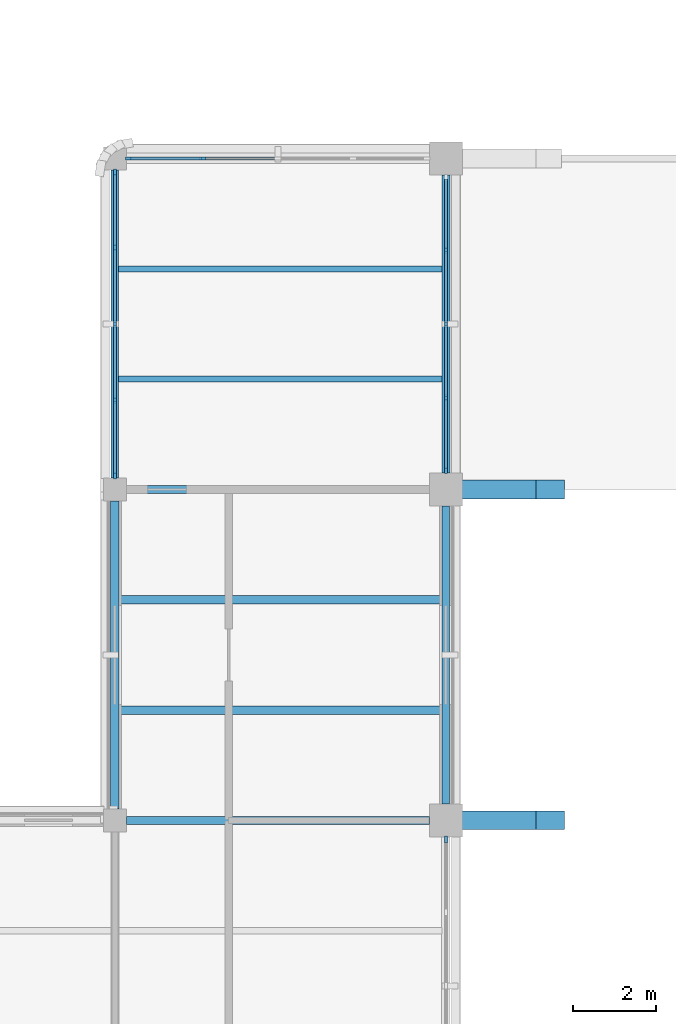
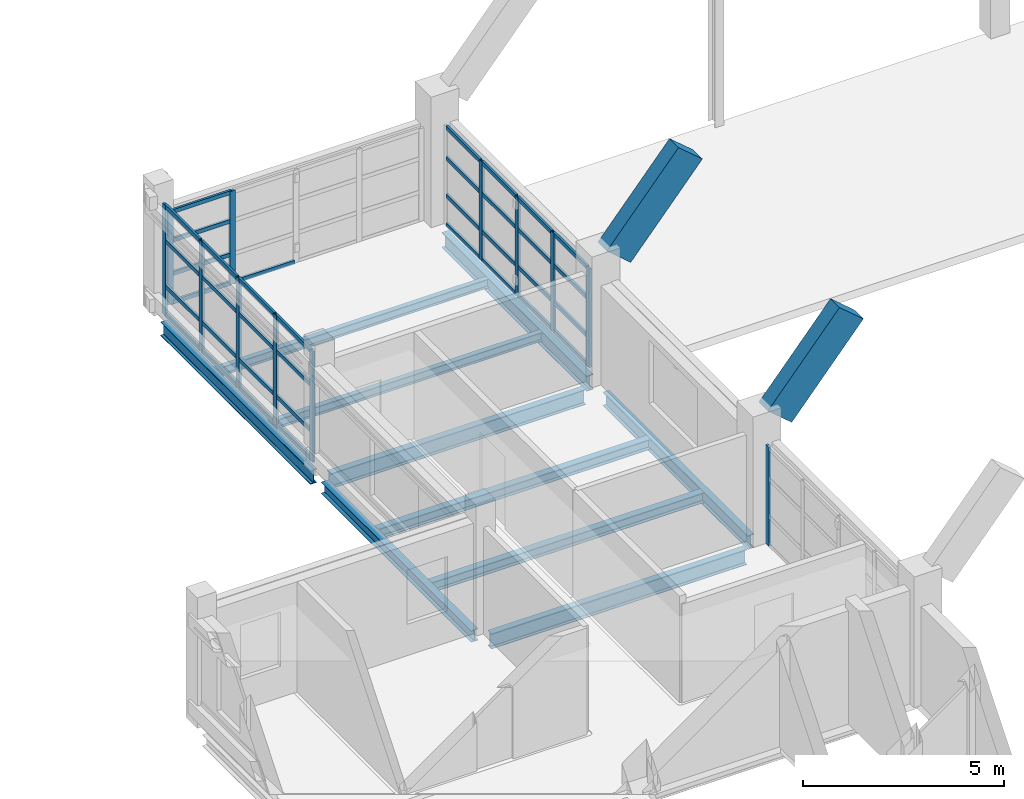
# One storey, part 30 of 92: 49 members, 12 beams, 4 elements without a shape of their own.
"""IFC4 building model written with IfcOpenShell, lengths in metres."""

import ifcopenshell
import ifcopenshell.guid

model = None  # the IFC model being written
_history = None  # IfcOwnerHistory: only IFC2X3 demands one
_inside = {}  # id of a spatial element -> (the spatial element, [elements in it])
_under = {}  # id of a project, library or spatial element -> (it, [spatial elements below it])
_declared = {}  # id of a project -> (the project, [libraries it declares])
_typed = {}  # id of a type object -> (the type object, [elements of that type])
_made_of = {}  # id of a material, layer set ... -> (it, [elements and type objects made of it])


def new_model(schema):
    """Start an empty IFC model of exactly this schema.

    Asked for "IFC4X3", IfcOpenShell would pick the latest addendum, in which some entities
    have other attributes; the version numbers below select the first issue.
    IFC2X3 requires an IfcOwnerHistory on every rooted entity: one is made here for all.
    """
    global model, _history
    if schema == "IFC4X3":
        model = ifcopenshell.file(schema_version=(4, 3, 0, 0))
    else:
        model = ifcopenshell.file(schema=schema)
    _inside.clear()
    _under.clear()
    _declared.clear()
    _typed.clear()
    _made_of.clear()
    _history = None
    if model.schema == "IFC2X3":
        org = make("IfcOrganization", Name="unknown")
        user = make(
            "IfcPersonAndOrganization",
            ThePerson=make("IfcPerson", FamilyName="unknown"),
            TheOrganization=org,
        )
        app = make(
            "IfcApplication",
            ApplicationDeveloper=org,
            Version="unknown",
            ApplicationFullName="unknown",
            ApplicationIdentifier="unknown",
        )
        _history = make(
            "IfcOwnerHistory",
            OwningUser=user,
            OwningApplication=app,
            ChangeAction="ADDED",
            CreationDate=0,
        )
    return model


def make(cls, **values):
    """One entity of the class cls with the attributes given. An attribute that is None is left unset."""
    return model.create_entity(
        cls, **{name: value for name, value in values.items() if value is not None}
    )


def rooted(cls, **values):
    """An entity with a GlobalId (a new one), such as an element, a storey or a relation."""
    return make(cls, GlobalId=ifcopenshell.guid.new(), OwnerHistory=_history, **values)


def si_unit(unit_type, name, prefix=None):
    """IfcSIUnit, for example si_unit("LENGTHUNIT", "METRE", prefix="MILLI")."""
    return make("IfcSIUnit", UnitType=unit_type, Prefix=prefix, Name=name)


def derived_unit(unit_type, elements):
    """IfcDerivedUnit: a product of units, each with its exponent."""
    return make(
        "IfcDerivedUnit",
        Elements=[
            make("IfcDerivedUnitElement", Unit=unit, Exponent=power)
            for unit, power in elements
        ],
        UnitType=unit_type,
    )


def assignment(units):
    """IfcUnitAssignment: the units of a project."""
    return None if units is None else make("IfcUnitAssignment", Units=units)


def point(xyz):
    """IfcCartesianPoint."""
    return None if xyz is None else make("IfcCartesianPoint", Coordinates=xyz)


def direction(xyz):
    """IfcDirection."""
    return None if xyz is None else make("IfcDirection", DirectionRatios=xyz)


def frame(location, z_axis=None, x_axis=None):
    """IfcAxis2Placement3D, a coordinate frame: its origin and axes. An axis left out is left unset."""
    return make(
        "IfcAxis2Placement3D",
        Location=point(location),
        Axis=direction(z_axis),
        RefDirection=direction(x_axis),
    )


def frame_2d(location, x_axis=None):
    """IfcAxis2Placement2D, a coordinate frame in the plane: its origin and x axis."""
    return make(
        "IfcAxis2Placement2D", Location=point(location), RefDirection=direction(x_axis)
    )


def origin():
    """The frame at (0, 0, 0) with its axes left unset."""
    return frame((0.0, 0.0, 0.0))


def origin_2d():
    """The frame at (0, 0) in the plane with its x axis left unset."""
    return frame_2d((0.0, 0.0))


def place(relative_to, where):
    """IfcLocalPlacement: puts the frame where relative to a parent placement (None: the world)."""
    return make(
        "IfcLocalPlacement", PlacementRelTo=relative_to, RelativePlacement=where
    )


def context(
    kind, dimensions, precision=None, world=None, true_north=None, identifier=None
):
    """IfcGeometricRepresentationContext, for example the 3D "Model" context."""
    return make(
        "IfcGeometricRepresentationContext",
        ContextIdentifier=identifier,
        ContextType=kind,
        CoordinateSpaceDimension=dimensions,
        Precision=precision,
        WorldCoordinateSystem=world,
        TrueNorth=true_north,
    )


def subcontext(parent, identifier, kind, view, scale=None):
    """IfcGeometricRepresentationSubContext, for example "Body" below "Model"."""
    return make(
        "IfcGeometricRepresentationSubContext",
        ContextIdentifier=identifier,
        ContextType=kind,
        ParentContext=parent,
        TargetScale=scale,
        TargetView=view,
    )


def project(units=None, contexts=None):
    """IfcProject with its units and contexts."""
    return rooted(
        "IfcProject",
        Name="project",
        RepresentationContexts=contexts,
        UnitsInContext=assignment(units),
    )


def spatial(cls, under=None, at=None, **own):
    """A site, building, storey or space (cls), placed at a placement, below another one or the project."""
    s = rooted(cls, ObjectPlacement=at, **own)
    if under is not None:
        _under.setdefault(under.id(), (under, []))[1].append(s)
    return s


def profile(cls, at=None, kind="AREA", **sizes):
    """A parametric profile (cls). Its sizes go by their IFC names, for example OverallWidth=200.0."""
    return make(cls, ProfileType=kind, Position=at, **sizes)


def rectangle(**sizes):
    """IfcRectangleProfileDef."""
    return profile("IfcRectangleProfileDef", **sizes)


def i_section(**sizes):
    """IfcIShapeProfileDef."""
    return profile("IfcIShapeProfileDef", **sizes)


def extrude(swept, where, along, depth):
    """IfcExtrudedAreaSolid: the profile swept, set in the frame where, extruded along a direction by depth."""
    return make(
        "IfcExtrudedAreaSolid",
        SweptArea=swept,
        Position=where,
        ExtrudedDirection=direction(along),
        Depth=depth,
    )


def shape(context_of_items, identifier, shape_type, items):
    """IfcShapeRepresentation: the items that make up one representation, for example the "Body"."""
    return make(
        "IfcShapeRepresentation",
        ContextOfItems=context_of_items,
        RepresentationIdentifier=identifier,
        RepresentationType=shape_type,
        Items=items,
    )


def material(Name=None, Category=None):
    """IfcMaterial."""
    return make("IfcMaterial", Name=Name, Category=Category)


def layer(
    of_material, thickness, ventilated=None, Name=None, Category=None, Priority=None
):
    """IfcMaterialLayer: one layer of a wall or slab, of a material (None: an air gap)."""
    return make(
        "IfcMaterialLayer",
        Material=of_material,
        LayerThickness=thickness,
        IsVentilated=ventilated,
        Name=Name,
        Category=Category,
        Priority=Priority,
    )


def layer_set(layers, Name=None):
    """IfcMaterialLayerSet."""
    return make("IfcMaterialLayerSet", MaterialLayers=layers, LayerSetName=Name)


def material_profile(
    of_material, cross_section, Name=None, Category=None, Priority=None
):
    """IfcMaterialProfile: a cross section and its material."""
    return make(
        "IfcMaterialProfile",
        Name=Name,
        Material=of_material,
        Profile=cross_section,
        Priority=Priority,
        Category=Category,
    )


def profile_set(profiles, Name=None, composite=None):
    """IfcMaterialProfileSet."""
    return make(
        "IfcMaterialProfileSet",
        Name=Name,
        MaterialProfiles=profiles,
        CompositeProfile=composite,
    )


def made_of(thing, what):
    """Note that an element or type object is made of a material, layer set ...; save() writes the relation."""
    if what is not None:
        _made_of.setdefault(what.id(), (what, []))[1].append(thing)
    return thing


def type_object(cls, material=None, **own):
    """A type object (cls), such as IfcWallType, which elements share."""
    return made_of(rooted(cls, **own), material)


def element(
    cls,
    number,
    at=None,
    inside=None,
    cuts=None,
    type_object=None,
    material=None,
    context=None,
    identifier="Body",
    shape_type=None,
    held_by="IfcProductDefinitionShape",
    body=None,
    shapes=None,
    **own,
):
    """One element of the class cls, such as IfcWall. Its Tag is "e" and its number.

    at: its placement. inside: the storey or other place that contains it. cuts: it is an
    opening in that element (IfcRelVoidsElement). A single representation is given by context,
    identifier, shape_type and body (its items); several are given by shapes. held_by: the class
    of the entity that holds the representations. save() writes the other relations.
    """
    e = rooted(cls, Tag="e%d" % number, ObjectPlacement=at, **own)
    if body is not None:
        shapes = [shape(context, identifier, shape_type, body)]
    if shapes is not None:
        e.Representation = make(held_by, Representations=shapes)
    if inside is not None:
        _inside.setdefault(inside.id(), (inside, []))[1].append(e)
    if cuts is not None:
        rooted(
            "IfcRelVoidsElement", RelatingBuildingElement=cuts, RelatedOpeningElement=e
        )
    if type_object is not None:
        _typed.setdefault(type_object.id(), (type_object, []))[1].append(e)
    return made_of(e, material)


def aggregate(whole, parts):
    """IfcRelAggregates: a whole, such as a stair, and the parts it consists of."""
    return rooted("IfcRelAggregates", RelatingObject=whole, RelatedObjects=parts)


def save(model, path):
    """Write the relations noted so far, then the file.

    IfcRelAggregates (storeys below a building ...), IfcRelContainedInSpatialStructure (elements
    in a storey), IfcRelDefinesByType, IfcRelAssociatesMaterial and IfcRelDeclares: one each for
    every whole, place, type object, material and project.
    """
    for whole, parts in _under.values():
        aggregate(whole, parts)
    for where, things in _inside.values():
        rooted(
            "IfcRelContainedInSpatialStructure",
            RelatedElements=things,
            RelatingStructure=where,
        )
    for kind, things in _typed.values():
        rooted("IfcRelDefinesByType", RelatedObjects=things, RelatingType=kind)
    for what, things in _made_of.values():
        rooted("IfcRelAssociatesMaterial", RelatedObjects=things, RelatingMaterial=what)
    for by, libraries in _declared.values():
        rooted("IfcRelDeclares", RelatingContext=by, RelatedDefinitions=libraries)
    model.write(path)


model = new_model("IFC4")

# Units and contexts
model_context = context("Model", 3, precision=1e-05, world=origin(), true_north=direction((0.0, 1.0)))
body_context = subcontext(model_context, "Body", "Model", "MODEL_VIEW")
ifc_project = project(units=[si_unit("LENGTHUNIT", "METRE"), si_unit("AREAUNIT", "SQUARE_METRE"), si_unit("VOLUMEUNIT", "CUBIC_METRE"), si_unit("PLANEANGLEUNIT", "RADIAN"), si_unit("MASSUNIT", "GRAM", prefix="KILO"), derived_unit("THERMALTRANSMITTANCEUNIT", [(si_unit("MASSUNIT", "GRAM", prefix="KILO"), 1), (si_unit("TIMEUNIT", "SECOND"), -3), (si_unit("THERMODYNAMICTEMPERATUREUNIT", "KELVIN"), -1)])], contexts=[model_context])

# Site, building, storey
site_placement = place(None, origin())
site = spatial("IfcSite", under=ifc_project, at=site_placement, CompositionType="ELEMENT")
building_placement = place(site_placement, origin())
building = spatial("IfcBuilding", under=site, at=building_placement, Name="Veyamyaing Civic Hall", CompositionType="ELEMENT")
storey_placement = place(building_placement, frame((0.0, 0.0, 17.820068359375)))
storey = spatial("IfcBuildingStorey", under=building, at=storey_placement, Name="L04", CompositionType="ELEMENT", Elevation=17.820068359375)

# Beams
ifc_material_1 = material(Name="Steel ASTM A992", Category="steel")
ifc_material_profile_1 = material_profile(ifc_material_1, i_section(OverallWidth=0.19189453125, OverallDepth=0.462890625, WebThickness=0.010498046875, FlangeThickness=0.017578125, FilletRadius=0.010009765625, at=origin_2d()), Name="W460X89")
ifc_profile_set_1 = profile_set([ifc_material_profile_1], Name="Steel ASTM A992")
beam_type_1 = type_object("IfcBeamType", Name="B-08", PredefinedType="BEAM", material=ifc_profile_set_1)
beam_1_placement = place(storey_placement, frame((64.27490234375, 64.0, -0.466552734375), z_axis=(1.0, 0.0, 0.0), x_axis=(0.0, 1.0, 0.0)))
element("IfcBeam", 1, at=beam_1_placement, inside=storey, type_object=beam_type_1, Name="Girder B-08 L04 Grid J 9-10", PredefinedType="BEAM", context=body_context, shape_type="SweptSolid", body=[
    extrude(i_section(OverallWidth=0.19189453125, OverallDepth=0.462890625, WebThickness=0.010498046875, FlangeThickness=0.017578125, FilletRadius=0.010009765625, at=origin_2d()), origin(), (0.0, 0.0, 1.0), 7.3251953125),
])
beam_2_placement = place(storey_placement, frame((72.0, 72.39990234375, -0.4716796875), z_axis=(0.0, 1.0, 0.0), x_axis=(-1.0, 0.0, 0.0)))
element("IfcBeam", 2, at=beam_2_placement, inside=storey, type_object=beam_type_1, Name="Girder B-08 L04 Grid 10 K-L", PredefinedType="BEAM", context=body_context, shape_type="SweptSolid", body=[
    extrude(i_section(OverallWidth=0.19189453125, OverallDepth=0.462890625, WebThickness=0.010498046875, FlangeThickness=0.017578125, FilletRadius=0.010009765625, at=origin_2d()), origin(), (0.0, 0.0, 1.0), 7.2001953125),
])
ifc_material_profile_2 = material_profile(ifc_material_1, i_section(OverallWidth=0.18994140625, OverallDepth=0.45703125, WebThickness=0.009033203125, FlangeThickness=0.014404296875, FilletRadius=0.010009765625, at=origin_2d()), Name="W460X74")
ifc_profile_set_2 = profile_set([ifc_material_profile_2], Name="Steel ASTM A992")
beam_type_2 = type_object("IfcBeamType", Name="B-09", PredefinedType="BEAM", material=ifc_profile_set_2)
beam_3_placement = place(storey_placement, frame((64.27490234375, 72.0, -0.463623046875), z_axis=(1.0, 0.0, 0.0), x_axis=(0.0, 1.0, 0.0)))
element("IfcBeam", 3, at=beam_3_placement, inside=storey, type_object=beam_type_2, Name="Girder B-09 L04 Grid K 9-10", PredefinedType="BEAM", context=body_context, shape_type="SweptSolid", body=[
    extrude(i_section(OverallWidth=0.18994140625, OverallDepth=0.45703125, WebThickness=0.009033203125, FlangeThickness=0.014404296875, FilletRadius=0.010009765625, at=origin_2d()), origin(), (0.0, 0.0, 1.0), 7.3251953125),
])
ifc_material_profile_3 = material_profile(ifc_material_1, i_section(OverallWidth=0.2041015625, OverallDepth=0.35009765625, WebThickness=0.0078125, FlangeThickness=0.01513671875, FilletRadius=0.010009765625, at=origin_2d()), Name="W360X72")
ifc_profile_set_3 = profile_set([ifc_material_profile_3], Name="Steel ASTM A992")
beam_type_3 = type_object("IfcBeamType", Name="B-11", PredefinedType="SPANDREL", material=ifc_profile_set_3)
beam_4_placement = place(storey_placement, frame((64.0, 64.27490234375, -0.41015625), z_axis=(0.0, 1.0, 0.0), x_axis=(-1.0, 0.0, 0.0)))
element("IfcBeam", 4, at=beam_4_placement, inside=storey, type_object=beam_type_3, Name="Girder B-11 L04 Grid 9 J-K", PredefinedType="SPANDREL", context=body_context, shape_type="SweptSolid", body=[
    extrude(i_section(OverallWidth=0.2041015625, OverallDepth=0.35009765625, WebThickness=0.0078125, FlangeThickness=0.01513671875, FilletRadius=0.010009765625, at=origin_2d()), origin(), (0.0, 0.0, 1.0), 7.4501953125),
])
ifc_material_profile_4 = material_profile(ifc_material_1, i_section(OverallWidth=0.180908203125, OverallDepth=0.4169921875, WebThickness=0.010986328125, FlangeThickness=0.018310546875, FilletRadius=0.010009765625, at=origin_2d()), Name="W410X85")
ifc_profile_set_4 = profile_set([ifc_material_profile_4], Name="Steel ASTM A992")
beam_type_4 = type_object("IfcBeamType", Name="B-19", PredefinedType="SPANDREL", material=ifc_profile_set_4)
beam_5_placement = place(storey_placement, frame((64.0, 72.27490234375, -0.443603515625), z_axis=(0.0, 1.0, 0.0), x_axis=(-1.0, 0.0, 0.0)))
element("IfcBeam", 5, at=beam_5_placement, inside=storey, type_object=beam_type_4, Name="Girder B-19 L04 Grid 9 K-L", PredefinedType="SPANDREL", context=body_context, shape_type="SweptSolid", body=[
    extrude(i_section(OverallWidth=0.180908203125, OverallDepth=0.4169921875, WebThickness=0.010986328125, FlangeThickness=0.018310546875, FilletRadius=0.010009765625, at=origin_2d()), origin(), (0.0, 0.0, 1.0), 7.4501953125),
])
beam_6_placement = place(storey_placement, frame((72.0, 64.39990234375, -0.443603515625), z_axis=(0.0, 1.0, 0.0), x_axis=(-1.0, 0.0, 0.0)))
element("IfcBeam", 6, at=beam_6_placement, inside=storey, type_object=beam_type_4, Name="Girder B-19 L04 Grid 10 J-K", PredefinedType="SPANDREL", context=body_context, shape_type="SweptSolid", body=[
    extrude(i_section(OverallWidth=0.180908203125, OverallDepth=0.4169921875, WebThickness=0.010986328125, FlangeThickness=0.018310546875, FilletRadius=0.010009765625, at=origin_2d()), origin(), (0.0, 0.0, 1.0), 7.2001953125),
])

# Curtain wall, member
ifc_material_2 = material(Name="Anodised aluminium 6063-T6", Category="aluminium")
ifc_layer = layer(ifc_material_2, 0.159912109375, Name="Anodised aluminium 6063-T6")
ifc_layer_set = layer_set([ifc_layer], Name="Anodised aluminium 6063-T6")
curtain_wall_type = type_object("IfcCurtainWallType", Name="CW-08", PredefinedType="NOTDEFINED", material=ifc_layer_set)
curtain_wall_1_placement = place(storey_placement, origin())
curtain_wall_1 = element("IfcCurtainWall", 7, at=curtain_wall_1_placement, inside=storey, type_object=curtain_wall_type, Name="Unitized curtain wall CW-08 L04 E 9.8", PredefinedType="NOTDEFINED")
ifc_material_profile_5 = material_profile(ifc_material_2, rectangle(XDim=0.06494140625, YDim=0.159912109375, at=origin_2d()), Name="ALU-MUL-65X160")
ifc_profile_set_5 = profile_set([ifc_material_profile_5], Name="Anodised aluminium 6063-T6")
member_type_1 = type_object("IfcMemberType", Name="CWM-01", PredefinedType="MULLION", material=ifc_profile_set_5)
member_1_placement = place(storey_placement, frame((72.0, 63.53759765625, 0.0), z_axis=(0.0, 0.0, 1.0), x_axis=(-1.0, 0.0, 0.0)))
member_1 = element("IfcMember", 8, at=member_1_placement, type_object=member_type_1, Name="CW-08 mullion 5", PredefinedType="MULLION", context=body_context, shape_type="SweptSolid", body=[
    extrude(rectangle(XDim=0.06494140625, YDim=0.159912109375, at=origin_2d()), origin(), (0.0, 0.0, 1.0), 3.001953125),
])
aggregate(curtain_wall_1, [member_1])

# Curtain wall, members
curtain_wall_2_placement = place(storey_placement, origin())
curtain_wall_2 = element("IfcCurtainWall", 9, at=curtain_wall_2_placement, inside=storey, type_object=curtain_wall_type, Name="Unitized curtain wall CW-08 L04 N 9.10", PredefinedType="NOTDEFINED")
member_2_placement = place(storey_placement, frame((64.33740234375, 80.0, 0.0), z_axis=(0.0, 0.0, 1.0), x_axis=(0.0, 1.0, 0.0)))
member_2 = element("IfcMember", 10, at=member_2_placement, type_object=member_type_1, Name="CW-08 mullion 1", PredefinedType="MULLION", context=body_context, shape_type="SweptSolid", body=[
    extrude(rectangle(XDim=0.06494140625, YDim=0.159912109375, at=origin_2d()), origin(), (0.0, 0.0, 1.0), 2.81689453125),
])
member_3_placement = place(storey_placement, frame((66.121337890625, 80.0, 0.0), z_axis=(0.0, 0.0, 1.0), x_axis=(0.0, 1.0, 0.0)))
member_3 = element("IfcMember", 11, at=member_3_placement, type_object=member_type_1, Name="CW-08 mullion 2", PredefinedType="MULLION", context=body_context, shape_type="SweptSolid", body=[
    extrude(rectangle(XDim=0.06494140625, YDim=0.159912109375, at=origin_2d()), origin(), (0.0, 0.0, 1.0), 2.81689453125),
])

curtain_wall_3_placement = place(storey_placement, origin())
curtain_wall_3 = element("IfcCurtainWall", 12, at=curtain_wall_3_placement, inside=storey, type_object=curtain_wall_type, Name="Unitized curtain wall CW-08 L04 W 9.10", PredefinedType="NOTDEFINED")
member_4_placement = place(storey_placement, frame((64.0, 72.33740234375, 0.0), z_axis=(0.0, 0.0, 1.0), x_axis=(-1.0, 0.0, 0.0)))
member_4 = element("IfcMember", 13, at=member_4_placement, type_object=member_type_1, Name="CW-08 mullion 1", PredefinedType="MULLION", context=body_context, shape_type="SweptSolid", body=[
    extrude(rectangle(XDim=0.06494140625, YDim=0.159912109375, at=origin_2d()), origin(), (0.0, 0.0, 1.0), 3.348876953125),
])
member_5_placement = place(storey_placement, frame((64.0, 74.152587890625, 0.0), z_axis=(0.0, 0.0, 1.0), x_axis=(-1.0, 0.0, 0.0)))
member_5 = element("IfcMember", 14, at=member_5_placement, type_object=member_type_1, Name="CW-08 mullion 2", PredefinedType="MULLION", context=body_context, shape_type="SweptSolid", body=[
    extrude(rectangle(XDim=0.06494140625, YDim=0.159912109375, at=origin_2d()), origin(), (0.0, 0.0, 1.0), 3.348876953125),
])
member_6_placement = place(storey_placement, frame((64.0, 76.0, 0.0), z_axis=(0.0, 0.0, 1.0), x_axis=(-1.0, 0.0, 0.0)))
member_6 = element("IfcMember", 15, at=member_6_placement, type_object=member_type_1, Name="CW-08 mullion 3", PredefinedType="MULLION", context=body_context, shape_type="SweptSolid", body=[
    extrude(rectangle(XDim=0.06494140625, YDim=0.159912109375, at=origin_2d()), origin(), (0.0, 0.0, 1.0), 3.348876953125),
])
member_7_placement = place(storey_placement, frame((64.0, 77.847412109375, 0.0), z_axis=(0.0, 0.0, 1.0), x_axis=(-1.0, 0.0, 0.0)))
member_7 = element("IfcMember", 16, at=member_7_placement, type_object=member_type_1, Name="CW-08 mullion 4", PredefinedType="MULLION", context=body_context, shape_type="SweptSolid", body=[
    extrude(rectangle(XDim=0.06494140625, YDim=0.159912109375, at=origin_2d()), origin(), (0.0, 0.0, 1.0), 3.348876953125),
])
member_8_placement = place(storey_placement, frame((64.0, 79.66259765625, 0.0), z_axis=(0.0, 0.0, 1.0), x_axis=(-1.0, 0.0, 0.0)))
member_8 = element("IfcMember", 17, at=member_8_placement, type_object=member_type_1, Name="CW-08 mullion 5", PredefinedType="MULLION", context=body_context, shape_type="SweptSolid", body=[
    extrude(rectangle(XDim=0.06494140625, YDim=0.159912109375, at=origin_2d()), origin(), (0.0, 0.0, 1.0), 3.348876953125),
])

curtain_wall_4_placement = place(storey_placement, origin())
curtain_wall_4 = element("IfcCurtainWall", 18, at=curtain_wall_4_placement, inside=storey, type_object=curtain_wall_type, Name="Unitized curtain wall CW-08 L04 E 9.10", PredefinedType="NOTDEFINED")
member_9_placement = place(storey_placement, frame((72.0, 72.46240234375, 0.0), z_axis=(0.0, 0.0, 1.0), x_axis=(-1.0, 0.0, 0.0)))
member_9 = element("IfcMember", 19, at=member_9_placement, type_object=member_type_1, Name="CW-08 mullion 1", PredefinedType="MULLION", context=body_context, shape_type="SweptSolid", body=[
    extrude(rectangle(XDim=0.06494140625, YDim=0.159912109375, at=origin_2d()), origin(), (0.0, 0.0, 1.0), 3.001953125),
])
member_10_placement = place(storey_placement, frame((72.0, 74.215087890625, 0.0), z_axis=(0.0, 0.0, 1.0), x_axis=(-1.0, 0.0, 0.0)))
member_10 = element("IfcMember", 20, at=member_10_placement, type_object=member_type_1, Name="CW-08 mullion 2", PredefinedType="MULLION", context=body_context, shape_type="SweptSolid", body=[
    extrude(rectangle(XDim=0.06494140625, YDim=0.159912109375, at=origin_2d()), origin(), (0.0, 0.0, 1.0), 3.001953125),
])
member_11_placement = place(storey_placement, frame((72.0, 76.0, 0.0), z_axis=(0.0, 0.0, 1.0), x_axis=(-1.0, 0.0, 0.0)))
member_11 = element("IfcMember", 21, at=member_11_placement, type_object=member_type_1, Name="CW-08 mullion 3", PredefinedType="MULLION", context=body_context, shape_type="SweptSolid", body=[
    extrude(rectangle(XDim=0.06494140625, YDim=0.159912109375, at=origin_2d()), origin(), (0.0, 0.0, 1.0), 3.001953125),
])
member_12_placement = place(storey_placement, frame((72.0, 77.784912109375, 0.0), z_axis=(0.0, 0.0, 1.0), x_axis=(-1.0, 0.0, 0.0)))
member_12 = element("IfcMember", 22, at=member_12_placement, type_object=member_type_1, Name="CW-08 mullion 4", PredefinedType="MULLION", context=body_context, shape_type="SweptSolid", body=[
    extrude(rectangle(XDim=0.06494140625, YDim=0.159912109375, at=origin_2d()), origin(), (0.0, 0.0, 1.0), 3.001953125),
])

# Member
ifc_material_profile_6 = material_profile(ifc_material_2, rectangle(XDim=0.06494140625, YDim=0.1201171875, at=origin_2d()), Name="ALU-TRN-65X120")
ifc_profile_set_6 = profile_set([ifc_material_profile_6], Name="Anodised aluminium 6063-T6")
member_type_2 = type_object("IfcMemberType", Name="CWT-01", PredefinedType="USERDEFINED", material=ifc_profile_set_6)
member_13_placement = place(storey_placement, frame((64.3701171875, 80.0, 0.032470703125), z_axis=(1.0, 0.0, 0.0), x_axis=(0.0, 1.0, 0.0)))
member_13 = element("IfcMember", 23, at=member_13_placement, type_object=member_type_2, Name="CW-08 transom 1.1", ObjectType="TRANSOM", PredefinedType="USERDEFINED", context=body_context, shape_type="SweptSolid", body=[
    extrude(rectangle(XDim=0.06494140625, YDim=0.1201171875, at=origin_2d()), origin(), (0.0, 0.0, 1.0), 1.71875),
])

member_14_placement = place(storey_placement, frame((64.3701171875, 80.0, 0.89990234375), z_axis=(1.0, 0.0, 0.0), x_axis=(0.0, 1.0, 0.0)))
member_14 = element("IfcMember", 24, at=member_14_placement, type_object=member_type_2, Name="CW-08 transom 1.2", ObjectType="TRANSOM", PredefinedType="USERDEFINED", context=body_context, shape_type="SweptSolid", body=[
    extrude(rectangle(XDim=0.06494140625, YDim=0.1201171875, at=origin_2d()), origin(), (0.0, 0.0, 1.0), 1.71875),
])

member_15_placement = place(storey_placement, frame((64.3701171875, 80.0, 1.91552734375), z_axis=(1.0, 0.0, 0.0), x_axis=(0.0, 1.0, 0.0)))
member_15 = element("IfcMember", 25, at=member_15_placement, type_object=member_type_2, Name="CW-08 transom 1.3", ObjectType="TRANSOM", PredefinedType="USERDEFINED", context=body_context, shape_type="SweptSolid", body=[
    extrude(rectangle(XDim=0.06494140625, YDim=0.1201171875, at=origin_2d()), origin(), (0.0, 0.0, 1.0), 1.71875),
])

member_16_placement = place(storey_placement, frame((64.3701171875, 80.0, 2.784423828125), z_axis=(1.0, 0.0, 0.0), x_axis=(0.0, 1.0, 0.0)))
member_16 = element("IfcMember", 26, at=member_16_placement, type_object=member_type_2, Name="CW-08 transom 1.4", ObjectType="TRANSOM", PredefinedType="USERDEFINED", context=body_context, shape_type="SweptSolid", body=[
    extrude(rectangle(XDim=0.06494140625, YDim=0.1201171875, at=origin_2d()), origin(), (0.0, 0.0, 1.0), 1.71875),
])

member_17_placement = place(storey_placement, frame((66.15380859375, 80.0, 0.032470703125), z_axis=(1.0, 0.0, 0.0), x_axis=(0.0, 1.0, 0.0)))
member_17 = element("IfcMember", 27, at=member_17_placement, type_object=member_type_2, Name="CW-08 transom 2.1", ObjectType="TRANSOM", PredefinedType="USERDEFINED", context=body_context, shape_type="SweptSolid", body=[
    extrude(rectangle(XDim=0.06494140625, YDim=0.1201171875, at=origin_2d()), origin(), (0.0, 0.0, 1.0), 1.751220703125),
])

aggregate(curtain_wall_2, [member_2, member_3, member_13, member_14, member_15, member_16, member_17])

member_18_placement = place(storey_placement, frame((64.0, 72.3701171875, 0.032470703125), z_axis=(0.0, 1.0, 0.0), x_axis=(-1.0, 0.0, 0.0)))
member_18 = element("IfcMember", 28, at=member_18_placement, type_object=member_type_2, Name="CW-08 transom 1.1", ObjectType="TRANSOM", PredefinedType="USERDEFINED", context=body_context, shape_type="SweptSolid", body=[
    extrude(rectangle(XDim=0.06494140625, YDim=0.1201171875, at=origin_2d()), origin(), (0.0, 0.0, 1.0), 1.75),
])

member_19_placement = place(storey_placement, frame((64.0, 72.3701171875, 0.89990234375), z_axis=(0.0, 1.0, 0.0), x_axis=(-1.0, 0.0, 0.0)))
member_19 = element("IfcMember", 29, at=member_19_placement, type_object=member_type_2, Name="CW-08 transom 1.2", ObjectType="TRANSOM", PredefinedType="USERDEFINED", context=body_context, shape_type="SweptSolid", body=[
    extrude(rectangle(XDim=0.06494140625, YDim=0.1201171875, at=origin_2d()), origin(), (0.0, 0.0, 1.0), 1.75),
])

member_20_placement = place(storey_placement, frame((64.0, 72.3701171875, 2.27734375), z_axis=(0.0, 1.0, 0.0), x_axis=(-1.0, 0.0, 0.0)))
member_20 = element("IfcMember", 30, at=member_20_placement, type_object=member_type_2, Name="CW-08 transom 1.3", ObjectType="TRANSOM", PredefinedType="USERDEFINED", context=body_context, shape_type="SweptSolid", body=[
    extrude(rectangle(XDim=0.06494140625, YDim=0.1201171875, at=origin_2d()), origin(), (0.0, 0.0, 1.0), 1.75),
])

member_21_placement = place(storey_placement, frame((64.0, 72.3701171875, 3.31640625), z_axis=(0.0, 1.0, 0.0), x_axis=(-1.0, 0.0, 0.0)))
member_21 = element("IfcMember", 31, at=member_21_placement, type_object=member_type_2, Name="CW-08 transom 1.4", ObjectType="TRANSOM", PredefinedType="USERDEFINED", context=body_context, shape_type="SweptSolid", body=[
    extrude(rectangle(XDim=0.06494140625, YDim=0.1201171875, at=origin_2d()), origin(), (0.0, 0.0, 1.0), 1.75),
])

member_22_placement = place(storey_placement, frame((64.0, 74.18505859375, 0.032470703125), z_axis=(0.0, 1.0, 0.0), x_axis=(-1.0, 0.0, 0.0)))
member_22 = element("IfcMember", 32, at=member_22_placement, type_object=member_type_2, Name="CW-08 transom 2.1", ObjectType="TRANSOM", PredefinedType="USERDEFINED", context=body_context, shape_type="SweptSolid", body=[
    extrude(rectangle(XDim=0.06494140625, YDim=0.1201171875, at=origin_2d()), origin(), (0.0, 0.0, 1.0), 1.782470703125),
])

member_23_placement = place(storey_placement, frame((64.0, 74.18505859375, 0.89990234375), z_axis=(0.0, 1.0, 0.0), x_axis=(-1.0, 0.0, 0.0)))
member_23 = element("IfcMember", 33, at=member_23_placement, type_object=member_type_2, Name="CW-08 transom 2.2", ObjectType="TRANSOM", PredefinedType="USERDEFINED", context=body_context, shape_type="SweptSolid", body=[
    extrude(rectangle(XDim=0.06494140625, YDim=0.1201171875, at=origin_2d()), origin(), (0.0, 0.0, 1.0), 1.782470703125),
])

member_24_placement = place(storey_placement, frame((64.0, 74.18505859375, 2.27734375), z_axis=(0.0, 1.0, 0.0), x_axis=(-1.0, 0.0, 0.0)))
member_24 = element("IfcMember", 34, at=member_24_placement, type_object=member_type_2, Name="CW-08 transom 2.3", ObjectType="TRANSOM", PredefinedType="USERDEFINED", context=body_context, shape_type="SweptSolid", body=[
    extrude(rectangle(XDim=0.06494140625, YDim=0.1201171875, at=origin_2d()), origin(), (0.0, 0.0, 1.0), 1.782470703125),
])

member_25_placement = place(storey_placement, frame((64.0, 74.18505859375, 3.31640625), z_axis=(0.0, 1.0, 0.0), x_axis=(-1.0, 0.0, 0.0)))
member_25 = element("IfcMember", 35, at=member_25_placement, type_object=member_type_2, Name="CW-08 transom 2.4", ObjectType="TRANSOM", PredefinedType="USERDEFINED", context=body_context, shape_type="SweptSolid", body=[
    extrude(rectangle(XDim=0.06494140625, YDim=0.1201171875, at=origin_2d()), origin(), (0.0, 0.0, 1.0), 1.782470703125),
])

member_26_placement = place(storey_placement, frame((64.0, 76.032470703125, 0.032470703125), z_axis=(0.0, 1.0, 0.0), x_axis=(-1.0, 0.0, 0.0)))
member_26 = element("IfcMember", 36, at=member_26_placement, type_object=member_type_2, Name="CW-08 transom 3.1", ObjectType="TRANSOM", PredefinedType="USERDEFINED", context=body_context, shape_type="SweptSolid", body=[
    extrude(rectangle(XDim=0.06494140625, YDim=0.1201171875, at=origin_2d()), origin(), (0.0, 0.0, 1.0), 1.782470703125),
])

member_27_placement = place(storey_placement, frame((64.0, 76.032470703125, 0.89990234375), z_axis=(0.0, 1.0, 0.0), x_axis=(-1.0, 0.0, 0.0)))
member_27 = element("IfcMember", 37, at=member_27_placement, type_object=member_type_2, Name="CW-08 transom 3.2", ObjectType="TRANSOM", PredefinedType="USERDEFINED", context=body_context, shape_type="SweptSolid", body=[
    extrude(rectangle(XDim=0.06494140625, YDim=0.1201171875, at=origin_2d()), origin(), (0.0, 0.0, 1.0), 1.782470703125),
])

member_28_placement = place(storey_placement, frame((64.0, 76.032470703125, 2.27734375), z_axis=(0.0, 1.0, 0.0), x_axis=(-1.0, 0.0, 0.0)))
member_28 = element("IfcMember", 38, at=member_28_placement, type_object=member_type_2, Name="CW-08 transom 3.3", ObjectType="TRANSOM", PredefinedType="USERDEFINED", context=body_context, shape_type="SweptSolid", body=[
    extrude(rectangle(XDim=0.06494140625, YDim=0.1201171875, at=origin_2d()), origin(), (0.0, 0.0, 1.0), 1.782470703125),
])

member_29_placement = place(storey_placement, frame((64.0, 76.032470703125, 3.31640625), z_axis=(0.0, 1.0, 0.0), x_axis=(-1.0, 0.0, 0.0)))
member_29 = element("IfcMember", 39, at=member_29_placement, type_object=member_type_2, Name="CW-08 transom 3.4", ObjectType="TRANSOM", PredefinedType="USERDEFINED", context=body_context, shape_type="SweptSolid", body=[
    extrude(rectangle(XDim=0.06494140625, YDim=0.1201171875, at=origin_2d()), origin(), (0.0, 0.0, 1.0), 1.782470703125),
])

member_30_placement = place(storey_placement, frame((64.0, 77.8798828125, 0.032470703125), z_axis=(0.0, 1.0, 0.0), x_axis=(-1.0, 0.0, 0.0)))
member_30 = element("IfcMember", 40, at=member_30_placement, type_object=member_type_2, Name="CW-08 transom 4.1", ObjectType="TRANSOM", PredefinedType="USERDEFINED", context=body_context, shape_type="SweptSolid", body=[
    extrude(rectangle(XDim=0.06494140625, YDim=0.1201171875, at=origin_2d()), origin(), (0.0, 0.0, 1.0), 1.75),
])

member_31_placement = place(storey_placement, frame((64.0, 77.8798828125, 0.89990234375), z_axis=(0.0, 1.0, 0.0), x_axis=(-1.0, 0.0, 0.0)))
member_31 = element("IfcMember", 41, at=member_31_placement, type_object=member_type_2, Name="CW-08 transom 4.2", ObjectType="TRANSOM", PredefinedType="USERDEFINED", context=body_context, shape_type="SweptSolid", body=[
    extrude(rectangle(XDim=0.06494140625, YDim=0.1201171875, at=origin_2d()), origin(), (0.0, 0.0, 1.0), 1.75),
])

member_32_placement = place(storey_placement, frame((64.0, 77.8798828125, 2.27734375), z_axis=(0.0, 1.0, 0.0), x_axis=(-1.0, 0.0, 0.0)))
member_32 = element("IfcMember", 42, at=member_32_placement, type_object=member_type_2, Name="CW-08 transom 4.3", ObjectType="TRANSOM", PredefinedType="USERDEFINED", context=body_context, shape_type="SweptSolid", body=[
    extrude(rectangle(XDim=0.06494140625, YDim=0.1201171875, at=origin_2d()), origin(), (0.0, 0.0, 1.0), 1.75),
])

member_33_placement = place(storey_placement, frame((64.0, 77.8798828125, 3.31640625), z_axis=(0.0, 1.0, 0.0), x_axis=(-1.0, 0.0, 0.0)))
member_33 = element("IfcMember", 43, at=member_33_placement, type_object=member_type_2, Name="CW-08 transom 4.4", ObjectType="TRANSOM", PredefinedType="USERDEFINED", context=body_context, shape_type="SweptSolid", body=[
    extrude(rectangle(XDim=0.06494140625, YDim=0.1201171875, at=origin_2d()), origin(), (0.0, 0.0, 1.0), 1.75),
])

aggregate(curtain_wall_3, [member_4, member_5, member_6, member_7, member_8, member_18, member_19, member_20, member_21, member_22, member_23, member_24, member_25, member_26, member_27, member_28, member_29, member_30, member_31, member_32, member_33])

member_34_placement = place(storey_placement, frame((72.0, 72.4951171875, 0.032470703125), z_axis=(0.0, 1.0, 0.0), x_axis=(-1.0, 0.0, 0.0)))
member_34 = element("IfcMember", 44, at=member_34_placement, type_object=member_type_2, Name="CW-08 transom 1.1", ObjectType="TRANSOM", PredefinedType="USERDEFINED", context=body_context, shape_type="SweptSolid", body=[
    extrude(rectangle(XDim=0.06494140625, YDim=0.1201171875, at=origin_2d()), origin(), (0.0, 0.0, 1.0), 1.6875),
])

member_35_placement = place(storey_placement, frame((72.0, 72.4951171875, 0.89990234375), z_axis=(0.0, 1.0, 0.0), x_axis=(-1.0, 0.0, 0.0)))
member_35 = element("IfcMember", 45, at=member_35_placement, type_object=member_type_2, Name="CW-08 transom 1.2", ObjectType="TRANSOM", PredefinedType="USERDEFINED", context=body_context, shape_type="SweptSolid", body=[
    extrude(rectangle(XDim=0.06494140625, YDim=0.1201171875, at=origin_2d()), origin(), (0.0, 0.0, 1.0), 1.6875),
])

member_36_placement = place(storey_placement, frame((72.0, 72.4951171875, 2.041259765625), z_axis=(0.0, 1.0, 0.0), x_axis=(-1.0, 0.0, 0.0)))
member_36 = element("IfcMember", 46, at=member_36_placement, type_object=member_type_2, Name="CW-08 transom 1.3", ObjectType="TRANSOM", PredefinedType="USERDEFINED", context=body_context, shape_type="SweptSolid", body=[
    extrude(rectangle(XDim=0.06494140625, YDim=0.1201171875, at=origin_2d()), origin(), (0.0, 0.0, 1.0), 1.6875),
])

member_37_placement = place(storey_placement, frame((72.0, 72.4951171875, 2.969482421875), z_axis=(0.0, 1.0, 0.0), x_axis=(-1.0, 0.0, 0.0)))
member_37 = element("IfcMember", 47, at=member_37_placement, type_object=member_type_2, Name="CW-08 transom 1.4", ObjectType="TRANSOM", PredefinedType="USERDEFINED", context=body_context, shape_type="SweptSolid", body=[
    extrude(rectangle(XDim=0.06494140625, YDim=0.1201171875, at=origin_2d()), origin(), (0.0, 0.0, 1.0), 1.6875),
])

member_38_placement = place(storey_placement, frame((72.0, 74.24755859375, 0.032470703125), z_axis=(0.0, 1.0, 0.0), x_axis=(-1.0, 0.0, 0.0)))
member_38 = element("IfcMember", 48, at=member_38_placement, type_object=member_type_2, Name="CW-08 transom 2.1", ObjectType="TRANSOM", PredefinedType="USERDEFINED", context=body_context, shape_type="SweptSolid", body=[
    extrude(rectangle(XDim=0.06494140625, YDim=0.1201171875, at=origin_2d()), origin(), (0.0, 0.0, 1.0), 1.719970703125),
])

member_39_placement = place(storey_placement, frame((72.0, 74.24755859375, 0.89990234375), z_axis=(0.0, 1.0, 0.0), x_axis=(-1.0, 0.0, 0.0)))
member_39 = element("IfcMember", 49, at=member_39_placement, type_object=member_type_2, Name="CW-08 transom 2.2", ObjectType="TRANSOM", PredefinedType="USERDEFINED", context=body_context, shape_type="SweptSolid", body=[
    extrude(rectangle(XDim=0.06494140625, YDim=0.1201171875, at=origin_2d()), origin(), (0.0, 0.0, 1.0), 1.719970703125),
])

member_40_placement = place(storey_placement, frame((72.0, 74.24755859375, 2.041259765625), z_axis=(0.0, 1.0, 0.0), x_axis=(-1.0, 0.0, 0.0)))
member_40 = element("IfcMember", 50, at=member_40_placement, type_object=member_type_2, Name="CW-08 transom 2.3", ObjectType="TRANSOM", PredefinedType="USERDEFINED", context=body_context, shape_type="SweptSolid", body=[
    extrude(rectangle(XDim=0.06494140625, YDim=0.1201171875, at=origin_2d()), origin(), (0.0, 0.0, 1.0), 1.719970703125),
])

member_41_placement = place(storey_placement, frame((72.0, 74.24755859375, 2.969482421875), z_axis=(0.0, 1.0, 0.0), x_axis=(-1.0, 0.0, 0.0)))
member_41 = element("IfcMember", 51, at=member_41_placement, type_object=member_type_2, Name="CW-08 transom 2.4", ObjectType="TRANSOM", PredefinedType="USERDEFINED", context=body_context, shape_type="SweptSolid", body=[
    extrude(rectangle(XDim=0.06494140625, YDim=0.1201171875, at=origin_2d()), origin(), (0.0, 0.0, 1.0), 1.719970703125),
])

member_42_placement = place(storey_placement, frame((72.0, 76.032470703125, 0.032470703125), z_axis=(0.0, 1.0, 0.0), x_axis=(-1.0, 0.0, 0.0)))
member_42 = element("IfcMember", 52, at=member_42_placement, type_object=member_type_2, Name="CW-08 transom 3.1", ObjectType="TRANSOM", PredefinedType="USERDEFINED", context=body_context, shape_type="SweptSolid", body=[
    extrude(rectangle(XDim=0.06494140625, YDim=0.1201171875, at=origin_2d()), origin(), (0.0, 0.0, 1.0), 1.719970703125),
])

member_43_placement = place(storey_placement, frame((72.0, 76.032470703125, 0.89990234375), z_axis=(0.0, 1.0, 0.0), x_axis=(-1.0, 0.0, 0.0)))
member_43 = element("IfcMember", 53, at=member_43_placement, type_object=member_type_2, Name="CW-08 transom 3.2", ObjectType="TRANSOM", PredefinedType="USERDEFINED", context=body_context, shape_type="SweptSolid", body=[
    extrude(rectangle(XDim=0.06494140625, YDim=0.1201171875, at=origin_2d()), origin(), (0.0, 0.0, 1.0), 1.719970703125),
])

member_44_placement = place(storey_placement, frame((72.0, 76.032470703125, 2.041259765625), z_axis=(0.0, 1.0, 0.0), x_axis=(-1.0, 0.0, 0.0)))
member_44 = element("IfcMember", 54, at=member_44_placement, type_object=member_type_2, Name="CW-08 transom 3.3", ObjectType="TRANSOM", PredefinedType="USERDEFINED", context=body_context, shape_type="SweptSolid", body=[
    extrude(rectangle(XDim=0.06494140625, YDim=0.1201171875, at=origin_2d()), origin(), (0.0, 0.0, 1.0), 1.719970703125),
])

member_45_placement = place(storey_placement, frame((72.0, 76.032470703125, 2.969482421875), z_axis=(0.0, 1.0, 0.0), x_axis=(-1.0, 0.0, 0.0)))
member_45 = element("IfcMember", 55, at=member_45_placement, type_object=member_type_2, Name="CW-08 transom 3.4", ObjectType="TRANSOM", PredefinedType="USERDEFINED", context=body_context, shape_type="SweptSolid", body=[
    extrude(rectangle(XDim=0.06494140625, YDim=0.1201171875, at=origin_2d()), origin(), (0.0, 0.0, 1.0), 1.719970703125),
])

member_46_placement = place(storey_placement, frame((72.0, 77.8173828125, 0.032470703125), z_axis=(0.0, 1.0, 0.0), x_axis=(-1.0, 0.0, 0.0)))
member_46 = element("IfcMember", 56, at=member_46_placement, type_object=member_type_2, Name="CW-08 transom 4.1", ObjectType="TRANSOM", PredefinedType="USERDEFINED", context=body_context, shape_type="SweptSolid", body=[
    extrude(rectangle(XDim=0.06494140625, YDim=0.1201171875, at=origin_2d()), origin(), (0.0, 0.0, 1.0), 1.6875),
])

member_47_placement = place(storey_placement, frame((72.0, 77.8173828125, 0.89990234375), z_axis=(0.0, 1.0, 0.0), x_axis=(-1.0, 0.0, 0.0)))
member_47 = element("IfcMember", 57, at=member_47_placement, type_object=member_type_2, Name="CW-08 transom 4.2", ObjectType="TRANSOM", PredefinedType="USERDEFINED", context=body_context, shape_type="SweptSolid", body=[
    extrude(rectangle(XDim=0.06494140625, YDim=0.1201171875, at=origin_2d()), origin(), (0.0, 0.0, 1.0), 1.6875),
])

member_48_placement = place(storey_placement, frame((72.0, 77.8173828125, 2.041259765625), z_axis=(0.0, 1.0, 0.0), x_axis=(-1.0, 0.0, 0.0)))
member_48 = element("IfcMember", 58, at=member_48_placement, type_object=member_type_2, Name="CW-08 transom 4.3", ObjectType="TRANSOM", PredefinedType="USERDEFINED", context=body_context, shape_type="SweptSolid", body=[
    extrude(rectangle(XDim=0.06494140625, YDim=0.1201171875, at=origin_2d()), origin(), (0.0, 0.0, 1.0), 1.6875),
])

member_49_placement = place(storey_placement, frame((72.0, 77.8173828125, 2.969482421875), z_axis=(0.0, 1.0, 0.0), x_axis=(-1.0, 0.0, 0.0)))
member_49 = element("IfcMember", 59, at=member_49_placement, type_object=member_type_2, Name="CW-08 transom 4.4", ObjectType="TRANSOM", PredefinedType="USERDEFINED", context=body_context, shape_type="SweptSolid", body=[
    extrude(rectangle(XDim=0.06494140625, YDim=0.1201171875, at=origin_2d()), origin(), (0.0, 0.0, 1.0), 1.6875),
])

aggregate(curtain_wall_4, [member_9, member_10, member_11, member_12, member_34, member_35, member_36, member_37, member_38, member_39, member_40, member_41, member_42, member_43, member_44, member_45, member_46, member_47, member_48, member_49])

# Beams
ifc_material_profile_7 = material_profile(ifc_material_1, i_section(OverallWidth=0.2041015625, OverallDepth=0.305908203125, WebThickness=0.008544921875, FlangeThickness=0.0146484375, FilletRadius=0.010009765625, at=origin_2d()), Name="W310X67")
ifc_profile_set_7 = profile_set([ifc_material_profile_7], Name="Steel ASTM A992")
beam_type_5 = type_object("IfcBeamType", Name="J-06", PredefinedType="JOIST", material=ifc_profile_set_7)
for number, where, z_axis, x_axis, name in (
    (60, (64.10009765625, 66.666748046875, -0.38818359375), (1.0, 0.0, 0.0), (0.0, 1.0, 0.0), "Composite floor joist J-06 L04 9.9.1"),
    (61, (64.10009765625, 69.333251953125, -0.38818359375), (1.0, 0.0, 0.0), (0.0, 1.0, 0.0), "Composite floor joist J-06 L04 9.9.2"),
):
    element("IfcBeam", number, at=place(storey_placement, frame(where, z_axis=z_axis, x_axis=x_axis)), inside=storey, type_object=beam_type_5, Name=name, PredefinedType="JOIST", context=body_context, shape_type="SweptSolid", body=[
        extrude(i_section(OverallWidth=0.2041015625, OverallDepth=0.305908203125, WebThickness=0.008544921875, FlangeThickness=0.0146484375, FilletRadius=0.010009765625, at=origin_2d()), origin(), (0.0, 0.0, 1.0), 7.8115234375),
    ])
ifc_material_profile_8 = material_profile(ifc_material_1, i_section(OverallWidth=0.14794921875, OverallDepth=0.26611328125, WebThickness=0.007568359375, FlangeThickness=0.012939453125, FilletRadius=0.010009765625, at=origin_2d()), Name="W250X45")
ifc_profile_set_8 = profile_set([ifc_material_profile_8], Name="Steel ASTM A992")
beam_type_6 = type_object("IfcBeamType", Name="J-07", PredefinedType="JOIST", material=ifc_profile_set_8)
for number, where, z_axis, x_axis, name in (
    (62, (64.08837890625, 74.666748046875, -0.373046875), (1.0, 0.0, 0.0), (0.0, 1.0, 0.0), "Composite floor joist J-07 L04 9.10.1"),
    (63, (64.08837890625, 77.333251953125, -0.373046875), (1.0, 0.0, 0.0), (0.0, 1.0, 0.0), "Composite floor joist J-07 L04 9.10.2"),
):
    element("IfcBeam", number, at=place(storey_placement, frame(where, z_axis=z_axis, x_axis=x_axis)), inside=storey, type_object=beam_type_6, Name=name, PredefinedType="JOIST", context=body_context, shape_type="SweptSolid", body=[
        extrude(i_section(OverallWidth=0.14794921875, OverallDepth=0.26611328125, WebThickness=0.007568359375, FlangeThickness=0.012939453125, FilletRadius=0.010009765625, at=origin_2d()), origin(), (0.0, 0.0, 1.0), 7.817626953125),
    ])
ifc_material_3 = material(Name="Concrete C40/50", Category="concrete")
ifc_material_profile_9 = material_profile(ifc_material_3, rectangle(XDim=0.449951171875, YDim=0.89990234375, at=origin_2d()), Name="RC-ARCH-450X900")
ifc_profile_set_9 = profile_set([ifc_material_profile_9], Name="Concrete C40/50")
beam_type_7 = type_object("IfcBeamType", Name="VR-01", PredefinedType="BEAM", material=ifc_profile_set_9)
for number, where, z_axis, x_axis, name in (
    (64, (72.46484375, 64.0, 3.56494140625), (0.647708679009, 0.0, 0.761888093578), (0.0, 1.0, 0.0), "Council Chamber Vault Arch Rib VR-01 R6.F1"),
    (65, (72.46484375, 72.0, 3.56494140625), (0.647708679009, 0.0, 0.761888093578), (0.0, 1.0, 0.0), "Council Chamber Vault Arch Rib VR-01 R7.F1"),
):
    element("IfcBeam", number, at=place(storey_placement, frame(where, z_axis=z_axis, x_axis=x_axis)), inside=storey, type_object=beam_type_7, Name=name, PredefinedType="BEAM", context=body_context, shape_type="SweptSolid", body=[
        extrude(rectangle(XDim=0.449951171875, YDim=0.89990234375, at=origin_2d()), origin(), (0.0, 0.0, 1.0), 3.17529296875),
    ])

save(model, "model.ifc")
